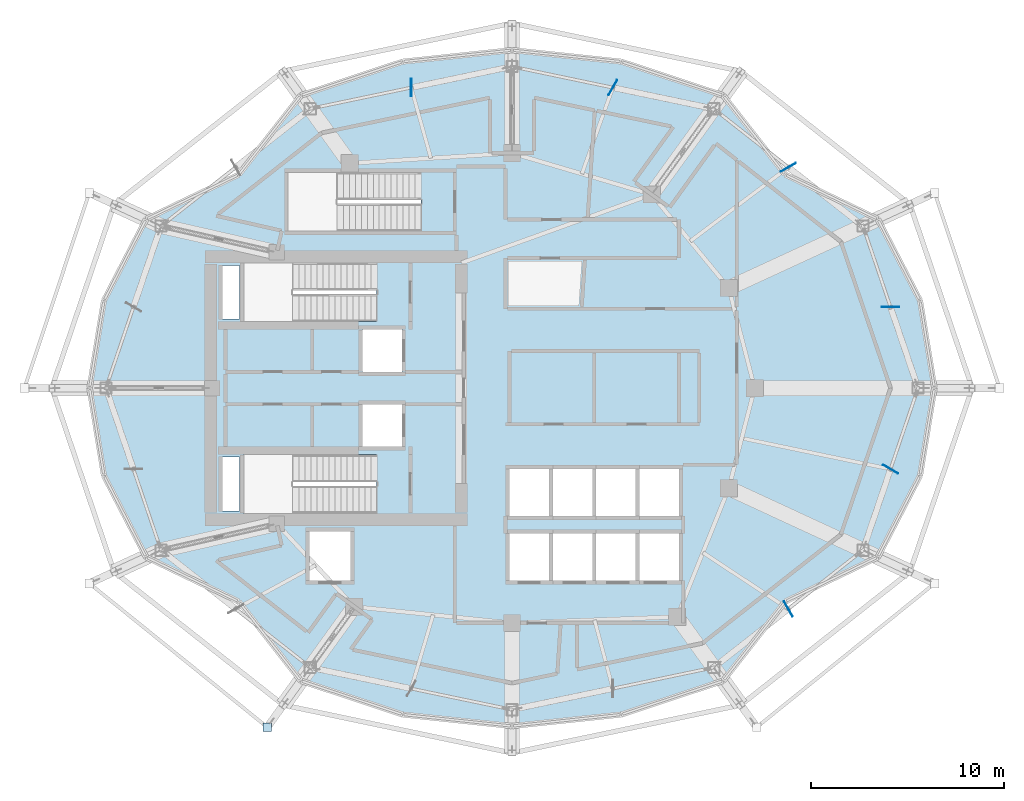
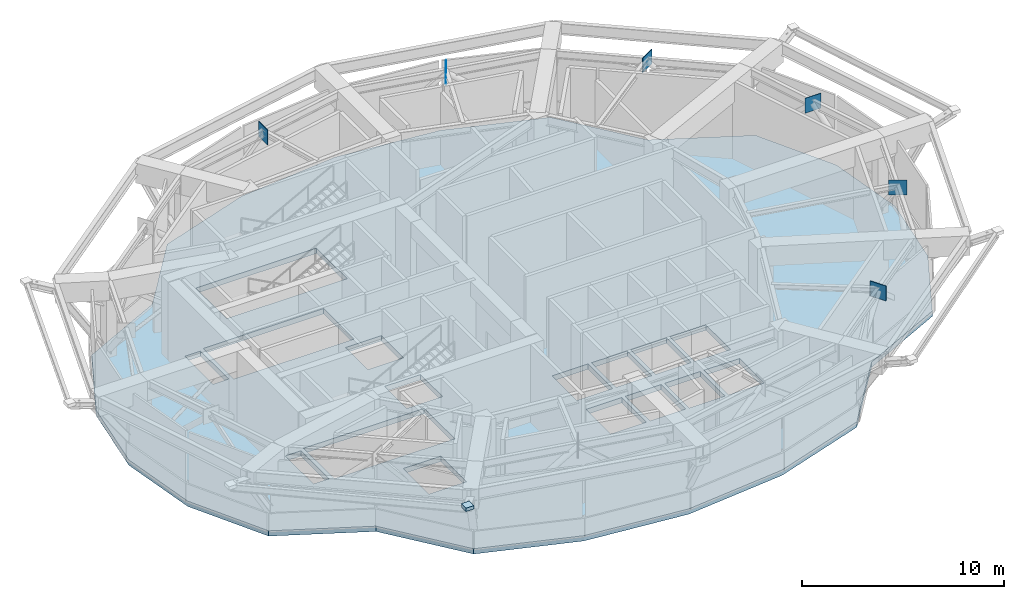
# One storey, part 4 of 13: 7 plates, 1 slab.
"""IFC4 building model written with IfcOpenShell, lengths in metres."""

from ifc_helpers import new_model, si_unit, direction, frame, origin, origin_2d, place, context, subcontext, project, spatial, polyline, rectangle, outline, extrude, material, layer, layer_set, type_object, element, save


model = new_model("IFC4")

# Units and contexts
model_context = context("Model", 3, precision=1e-05, world=origin(), true_north=direction((0.0, 1.0)))
body_context = subcontext(model_context, "Body", "Model", "MODEL_VIEW")
ifc_project = project(units=[si_unit("LENGTHUNIT", "METRE"), si_unit("AREAUNIT", "SQUARE_METRE"), si_unit("VOLUMEUNIT", "CUBIC_METRE"), si_unit("PLANEANGLEUNIT", "RADIAN"), si_unit("MASSUNIT", "GRAM", prefix="KILO")], contexts=[model_context])

# Site, building, storey
site_placement = place(None, origin())
site = spatial("IfcSite", under=ifc_project, at=site_placement, CompositionType="ELEMENT")
building_placement = place(site_placement, origin())
building = spatial("IfcBuilding", under=site, at=building_placement, Name="Kolvaren Gate Tower and Convention Centre", CompositionType="ELEMENT")
storey_placement = place(building_placement, frame((0.0, 0.0, 186.89990234375)))
storey = spatial("IfcBuildingStorey", under=building, at=storey_placement, Name="L49", CompositionType="ELEMENT", Elevation=186.89990234375)

# Plates
ifc_material_1 = material(Name="Structural steel plate ASTM A572 Grade 345 MPa", Category="steel")
ifc_layer_1 = layer(ifc_material_1, 0.030029296875)
ifc_layer_set_1 = layer_set([ifc_layer_1], Name="Structural steel plate ASTM A572 Grade 345 MPa")
plate_type_1 = type_object("IfcPlateType", Name="STR-PL-CAP-30", PredefinedType="USERDEFINED", material=ifc_layer_set_1)
plate_placement = place(storey_placement, frame((17.41650390625, 9.390380859375, 4.54052734375), z_axis=(0.0, 0.0, 1.0), x_axis=(1.0, 0.0, 0.0)))
element("IfcPlate", 1, at=plate_placement, inside=storey, type_object=plate_type_1, Name="Balcony Outrigger Strut 3B Top Bearing Seat", ObjectType="GUSSET PLATE", PredefinedType="USERDEFINED", context=body_context, shape_type="SweptSolid", body=[
    extrude(rectangle(XDim=0.4599609375, YDim=0.4599609375, at=origin_2d()), origin(), (0.0, 0.0, 1.0), 0.199951171875),
])
ifc_layer_2 = layer(ifc_material_1, 0.035888671875)
ifc_layer_set_2 = layer_set([ifc_layer_2], Name="Structural steel plate ASTM A572 Grade 345 MPa")
plate_type_2 = type_object("IfcPlateType", Name="STR-PL-GUSSET-36", PredefinedType="USERDEFINED", material=ifc_layer_set_2)
for number, where, z_axis, x_axis, name in (
    (2, (49.781982421875, 31.209228515625, 4.03564453125), (0.0, 0.0, 1.0), (1.0, 0.0, 0.0), "Belt Truss Concentric Node Gusset Plate GP-L49-01"),
    (3, (44.47412109375, 38.464111328125, 4.03564453125), (0.0, 0.0, 1.0), (0.866025403784, 0.5, 0.0), "Belt Truss Concentric Node Gusset Plate GP-L49-02"),
    (4, (35.360595703125, 42.604736328125, 4.03564453125), (0.0, 0.0, 1.0), (0.5, 0.866025403784, 0.0), "Belt Truss Concentric Node Gusset Plate GP-L49-03"),
    (5, (24.889404296875, 42.604736328125, 4.03564453125), (0.0, 0.0, 1.0), (0.0, 1.0, 0.0), "Belt Truss Concentric Node Gusset Plate GP-L49-04"),
    (6, (44.47412109375, 15.535888671875, 4.03564453125), (0.0, 0.0, 1.0), (0.5, -0.866025403784, 0.0), "Belt Truss Concentric Node Gusset Plate GP-L49-11"),
    (7, (49.781982421875, 22.790771484375, 4.03564453125), (0.0, 0.0, 1.0), (0.866025403784, -0.5, 0.0), "Belt Truss Concentric Node Gusset Plate GP-L49-12"),
):
    element("IfcPlate", number, at=place(storey_placement, frame(where, z_axis=z_axis, x_axis=x_axis)), inside=storey, type_object=plate_type_2, Name=name, ObjectType="GUSSET PLATE", PredefinedType="USERDEFINED", context=body_context, shape_type="SweptSolid", body=[
        extrude(rectangle(XDim=0.89990234375, YDim=0.035888671875, at=origin_2d()), origin(), (0.0, 0.0, 1.0), 0.89990234375),
    ])

# Slab
ifc_material_2 = material(Name="Concrete C50/60", Category="concrete")
ifc_layer_3 = layer(ifc_material_2, 0.320068359375)
ifc_layer_set_3 = layer_set([ifc_layer_3], Name="Concrete C50/60")
slab_type = type_object("IfcSlabType", Name="STR-SL-FLR-320", PredefinedType="FLOOR", material=ifc_layer_set_3)
slab_placement = place(storey_placement, frame((0.0, 0.0, -0.31982421875)))
element("IfcSlab", 8, at=slab_placement, inside=storey, type_object=slab_type, Name="Tower L49 Structural Floor Slab", PredefinedType="FLOOR", context=body_context, shape_type="SweptSolid", body=[
    extrude(outline(polyline([(52.0625, 27.0), (51.31494140625, 31.542236328125), (49.123291015625, 35.77490234375), (44.3134765625, 38.0859375), (41.09375, 42.19873046875), (35.802734375, 43.951904296875), (30.125, 44.550048828125), (24.447265625, 43.951904296875), (19.15625, 42.19873046875), (15.9365234375, 38.0859375), (11.126708984375, 35.77490234375), (8.93505859375, 31.542236328125), (8.1875, 27.0), (8.93505859375, 22.457763671875), (11.126708984375, 18.22509765625), (15.9365234375, 15.9140625), (19.15625, 11.80126953125), (24.447265625, 10.048095703125), (30.125, 9.449951171875), (35.802734375, 10.048095703125), (41.09375, 11.80126953125), (44.3134765625, 15.9140625), (49.123291015625, 18.22509765625), (51.31494140625, 22.457763671875), (52.0625, 27.0)]), holes=[polyline([(36.75, 17.0), (36.75, 19.449951171875), (38.800048828125, 19.449951171875), (38.800048828125, 17.0), (36.75, 17.0)]), polyline([(36.75, 20.35009765625), (36.75, 22.800048828125), (38.800048828125, 22.800048828125), (38.800048828125, 20.35009765625), (36.75, 20.35009765625)]), polyline([(34.5, 17.0), (34.5, 19.449951171875), (36.550048828125, 19.449951171875), (36.550048828125, 17.0), (34.5, 17.0)]), polyline([(34.5, 20.35009765625), (34.5, 22.800048828125), (36.550048828125, 22.800048828125), (36.550048828125, 20.35009765625), (34.5, 20.35009765625)]), polyline([(32.25, 17.0), (32.25, 19.449951171875), (34.300048828125, 19.449951171875), (34.300048828125, 17.0), (32.25, 17.0)]), polyline([(32.25, 20.35009765625), (32.25, 22.800048828125), (34.300048828125, 22.800048828125), (34.300048828125, 20.35009765625), (32.25, 20.35009765625)]), polyline([(30.0, 17.0), (30.0, 19.449951171875), (32.050048828125, 19.449951171875), (32.050048828125, 17.0), (30.0, 17.0)]), polyline([(30.0, 20.35009765625), (30.0, 22.800048828125), (32.050048828125, 22.800048828125), (32.050048828125, 20.35009765625), (30.0, 20.35009765625)]), polyline([(25.39990234375, 38.199951171875), (25.39990234375, 35.159912109375), (18.5, 35.159912109375), (18.5, 38.199951171875), (25.39990234375, 38.199951171875)]), polyline([(22.35009765625, 23.9599609375), (22.35009765625, 26.159912109375), (24.39990234375, 26.159912109375), (24.39990234375, 23.9599609375), (22.35009765625, 23.9599609375)]), polyline([(22.35009765625, 27.840087890625), (22.35009765625, 30.0400390625), (24.39990234375, 30.0400390625), (24.39990234375, 27.840087890625), (22.35009765625, 27.840087890625)]), polyline([(23.10009765625, 23.5400390625), (23.10009765625, 20.5), (16.199951171875, 20.5), (16.199951171875, 23.5400390625), (23.10009765625, 23.5400390625)]), polyline([(23.10009765625, 33.5), (23.10009765625, 30.4599609375), (16.199951171875, 30.4599609375), (16.199951171875, 33.5), (23.10009765625, 33.5)]), polyline([(19.60009765625, 17.0), (19.60009765625, 19.550048828125), (21.75, 19.550048828125), (21.75, 17.0), (19.60009765625, 17.0)]), polyline([(15.080078125, 20.6298828125), (15.080078125, 23.419921875), (15.969970703125, 23.419921875), (15.969970703125, 20.6298828125), (15.080078125, 20.6298828125)]), polyline([(15.080078125, 30.580078125), (15.080078125, 33.3701171875), (15.969970703125, 33.3701171875), (15.969970703125, 30.580078125), (15.080078125, 30.580078125)])]), origin(), (0.0, 0.0, 1.0), 0.31982421875),
])

save(model, "model.ifc")
